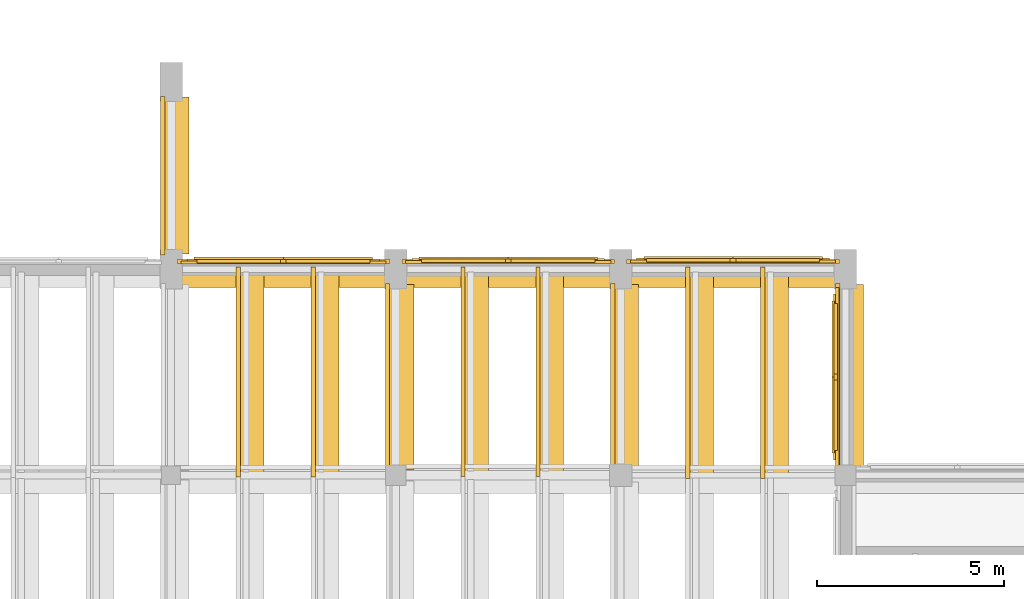
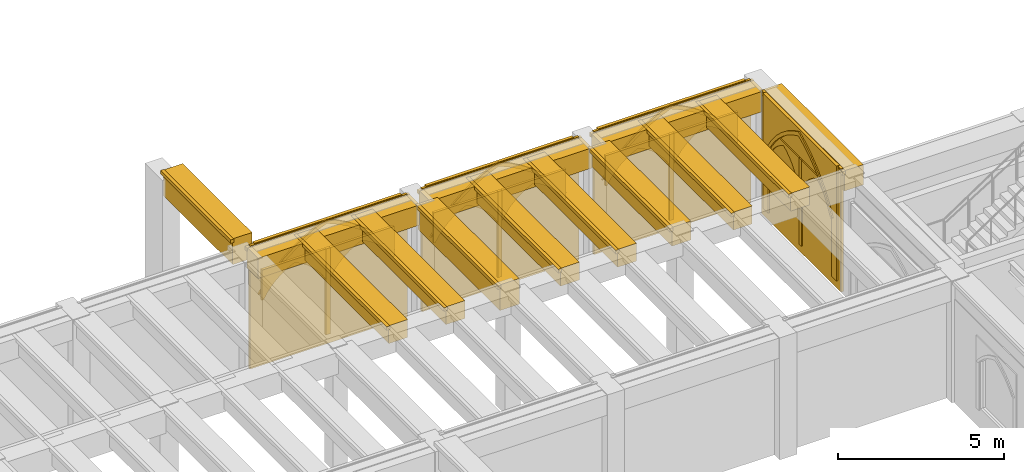
# One storey, part 119 of 127: 50 coverings.
"""IFC4 building model written with IfcOpenShell, lengths in metres."""

from ifc_helpers import new_model, si_unit, direction, frame, origin, origin_2d, place, context, subcontext, project, spatial, polyline, rectangle, outline, extrude, material, type_object, element, save


model = new_model("IFC4")

# Units and contexts
model_context = context("Model", 3, precision=1e-05, world=origin(), true_north=direction((0.0, 1.0)))
body_context = subcontext(model_context, "Body", "Model", "MODEL_VIEW")
ifc_project = project(units=[si_unit("LENGTHUNIT", "METRE"), si_unit("AREAUNIT", "SQUARE_METRE"), si_unit("VOLUMEUNIT", "CUBIC_METRE"), si_unit("PLANEANGLEUNIT", "RADIAN"), si_unit("MASSUNIT", "GRAM", prefix="KILO")], contexts=[model_context])

# Site, building, storey
site_placement = place(None, origin())
site = spatial("IfcSite", under=ifc_project, at=site_placement, CompositionType="ELEMENT")
building_placement = place(site_placement, origin())
building = spatial("IfcBuilding", under=site, at=building_placement, Name="Cumevento Cable Car Station", CompositionType="ELEMENT")
storey_placement = place(building_placement, frame((0.0, 0.0, 4.5)))
storey = spatial("IfcBuildingStorey", under=building, at=storey_placement, Name="L02", CompositionType="ELEMENT", Elevation=4.5)

# Coverings
ifc_material = material(Name="Gnaisse Facoidal Stone Ashlar 85 MPa", Category="masonry")
covering_type = type_object("IfcCoveringType", Name="Gnaisse Ashlar Cladding CV-CL01", PredefinedType="CLADDING", material=ifc_material)
covering_1_placement = place(storey_placement, frame((103.0, 56.35009765625, 3.722900390625), z_axis=(0.0, 0.0, 1.0), x_axis=(1.0, 0.0, 0.0)))
element("IfcCovering", 1, at=covering_1_placement, inside=storey, type_object=covering_type, Name="Gothic Stone Spandrel Stringcourse sc:0411", PredefinedType="CLADDING", context=body_context, shape_type="SweptSolid", body=[
    extrude(rectangle(XDim=5.639892578125, YDim=0.659912109375, at=origin_2d()), origin(), (0.0, 0.0, 1.0), 0.7470703125),
])
covering_2_placement = place(storey_placement, frame((103.0, 56.70751953125, 4.340087890625), z_axis=(0.0, 0.0, 1.0), x_axis=(1.0, 0.0, 0.0)))
element("IfcCovering", 2, at=covering_2_placement, inside=storey, type_object=covering_type, Name="Gothic Cornice Dripstone Lip sc:0411", PredefinedType="CLADDING", context=body_context, shape_type="SweptSolid", body=[
    extrude(rectangle(XDim=5.679931640625, YDim=0.114990234375, at=origin_2d()), origin(), (0.0, 0.0, 1.0), 0.1298828125),
])
covering_3_placement = place(storey_placement, frame((109.0, 56.35009765625, 3.722900390625), z_axis=(0.0, 0.0, 1.0), x_axis=(1.0, 0.0, 0.0)))
element("IfcCovering", 3, at=covering_3_placement, inside=storey, type_object=covering_type, Name="Gothic Stone Spandrel Stringcourse sc:0412", PredefinedType="CLADDING", context=body_context, shape_type="SweptSolid", body=[
    extrude(rectangle(XDim=5.639892578125, YDim=0.659912109375, at=origin_2d()), origin(), (0.0, 0.0, 1.0), 0.7470703125),
])
covering_4_placement = place(storey_placement, frame((109.0, 56.70751953125, 4.340087890625), z_axis=(0.0, 0.0, 1.0), x_axis=(1.0, 0.0, 0.0)))
element("IfcCovering", 4, at=covering_4_placement, inside=storey, type_object=covering_type, Name="Gothic Cornice Dripstone Lip sc:0412", PredefinedType="CLADDING", context=body_context, shape_type="SweptSolid", body=[
    extrude(rectangle(XDim=5.679931640625, YDim=0.114990234375, at=origin_2d()), origin(), (0.0, 0.0, 1.0), 0.1298828125),
])
covering_5_placement = place(storey_placement, frame((115.0, 56.35009765625, 3.722900390625), z_axis=(0.0, 0.0, 1.0), x_axis=(1.0, 0.0, 0.0)))
element("IfcCovering", 5, at=covering_5_placement, inside=storey, type_object=covering_type, Name="Gothic Stone Spandrel Stringcourse sc:0413", PredefinedType="CLADDING", context=body_context, shape_type="SweptSolid", body=[
    extrude(rectangle(XDim=5.639892578125, YDim=0.659912109375, at=origin_2d()), origin(), (0.0, 0.0, 1.0), 0.7470703125),
])
covering_6_placement = place(storey_placement, frame((115.0, 56.70751953125, 4.340087890625), z_axis=(0.0, 0.0, 1.0), x_axis=(1.0, 0.0, 0.0)))
element("IfcCovering", 6, at=covering_6_placement, inside=storey, type_object=covering_type, Name="Gothic Cornice Dripstone Lip sc:0413", PredefinedType="CLADDING", context=body_context, shape_type="SweptSolid", body=[
    extrude(rectangle(XDim=5.679931640625, YDim=0.114990234375, at=origin_2d()), origin(), (0.0, 0.0, 1.0), 0.1298828125),
])
covering_7_placement = place(storey_placement, frame((106.14306640625, 53.625, 3.52197265625), z_axis=(0.0, 0.0, 1.0), x_axis=(0.0, 1.0, 0.0)))
element("IfcCovering", 7, at=covering_7_placement, inside=storey, type_object=covering_type, Name="Gothic Stone Spandrel Stringcourse sc:0419", PredefinedType="CLADDING", context=body_context, shape_type="SweptSolid", body=[
    extrude(rectangle(XDim=4.93994140625, YDim=0.674072265625, at=origin_2d()), origin(), (0.0, 0.0, 1.0), 0.947998046875),
])
covering_8_placement = place(storey_placement, frame((105.778564453125, 53.625, 4.340087890625), z_axis=(0.0, 0.0, 1.0), x_axis=(0.0, 1.0, 0.0)))
element("IfcCovering", 8, at=covering_8_placement, inside=storey, type_object=covering_type, Name="Gothic Cornice Dripstone Lip sc:0419", PredefinedType="CLADDING", context=body_context, shape_type="SweptSolid", body=[
    extrude(rectangle(XDim=4.97998046875, YDim=0.114990234375, at=origin_2d()), origin(), (0.0, 0.0, 1.0), 0.1298828125),
])
covering_9_placement = place(storey_placement, frame((112.148681640625, 53.637451171875, 3.77587890625), z_axis=(0.0, 0.0, 1.0), x_axis=(0.0, 1.0, 0.0)))
element("IfcCovering", 9, at=covering_9_placement, inside=storey, type_object=covering_type, Name="Gothic Stone Spandrel Stringcourse sc:0421", PredefinedType="CLADDING", context=body_context, shape_type="SweptSolid", body=[
    extrude(rectangle(XDim=4.9150390625, YDim=0.66259765625, at=origin_2d()), origin(), (0.0, 0.0, 1.0), 0.694091796875),
])
covering_10_placement = place(storey_placement, frame((111.7900390625, 53.637451171875, 4.340087890625), z_axis=(0.0, 0.0, 1.0), x_axis=(0.0, 1.0, 0.0)))
element("IfcCovering", 10, at=covering_10_placement, inside=storey, type_object=covering_type, Name="Gothic Cornice Dripstone Lip sc:0421", PredefinedType="CLADDING", context=body_context, shape_type="SweptSolid", body=[
    extrude(rectangle(XDim=4.955078125, YDim=0.114990234375, at=origin_2d()), origin(), (0.0, 0.0, 1.0), 0.1298828125),
])
covering_11_placement = place(storey_placement, frame((118.14990234375, 53.625, 3.722900390625), z_axis=(0.0, 0.0, 1.0), x_axis=(0.0, 1.0, 0.0)))
element("IfcCovering", 11, at=covering_11_placement, inside=storey, type_object=covering_type, Name="Gothic Stone Spandrel Stringcourse sc:0423", PredefinedType="CLADDING", context=body_context, shape_type="SweptSolid", body=[
    extrude(rectangle(XDim=4.93994140625, YDim=0.659912109375, at=origin_2d()), origin(), (0.0, 0.0, 1.0), 0.7470703125),
])
covering_12_placement = place(storey_placement, frame((117.79248046875, 53.625, 4.340087890625), z_axis=(0.0, 0.0, 1.0), x_axis=(0.0, 1.0, 0.0)))
element("IfcCovering", 12, at=covering_12_placement, inside=storey, type_object=covering_type, Name="Gothic Cornice Dripstone Lip sc:0423", PredefinedType="CLADDING", context=body_context, shape_type="SweptSolid", body=[
    extrude(rectangle(XDim=4.97998046875, YDim=0.114990234375, at=origin_2d()), origin(), (0.0, 0.0, 1.0), 0.1298828125),
])
covering_13_placement = place(storey_placement, frame((102.14990234375, 53.7568359375, 3.81298828125), z_axis=(0.0, 0.0, 1.0), x_axis=(0.0, 1.0, 0.0)))
element("IfcCovering", 13, at=covering_13_placement, inside=storey, type_object=covering_type, Name="Gothic Stone Spandrel Stringcourse sc:0529", PredefinedType="CLADDING", context=body_context, shape_type="SweptSolid", body=[
    extrude(rectangle(XDim=5.572509765625, YDim=0.659912109375, at=origin_2d()), origin(), (0.0, 0.0, 1.0), 0.656982421875),
])
covering_14_placement = place(storey_placement, frame((101.79248046875, 53.7568359375, 4.340087890625), z_axis=(0.0, 0.0, 1.0), x_axis=(0.0, 1.0, 0.0)))
element("IfcCovering", 14, at=covering_14_placement, inside=storey, type_object=covering_type, Name="Gothic Cornice Dripstone Lip sc:0529", PredefinedType="CLADDING", context=body_context, shape_type="SweptSolid", body=[
    extrude(rectangle(XDim=5.612548828125, YDim=0.114990234375, at=origin_2d()), origin(), (0.0, 0.0, 1.0), 0.1298828125),
])
covering_15_placement = place(storey_placement, frame((104.14990234375, 53.7568359375, 3.81298828125), z_axis=(0.0, 0.0, 1.0), x_axis=(0.0, 1.0, 0.0)))
element("IfcCovering", 15, at=covering_15_placement, inside=storey, type_object=covering_type, Name="Gothic Stone Spandrel Stringcourse sc:0531", PredefinedType="CLADDING", context=body_context, shape_type="SweptSolid", body=[
    extrude(rectangle(XDim=5.572509765625, YDim=0.659912109375, at=origin_2d()), origin(), (0.0, 0.0, 1.0), 0.656982421875),
])
covering_16_placement = place(storey_placement, frame((103.79248046875, 53.7568359375, 4.340087890625), z_axis=(0.0, 0.0, 1.0), x_axis=(0.0, 1.0, 0.0)))
element("IfcCovering", 16, at=covering_16_placement, inside=storey, type_object=covering_type, Name="Gothic Cornice Dripstone Lip sc:0531", PredefinedType="CLADDING", context=body_context, shape_type="SweptSolid", body=[
    extrude(rectangle(XDim=5.612548828125, YDim=0.114990234375, at=origin_2d()), origin(), (0.0, 0.0, 1.0), 0.1298828125),
])
covering_17_placement = place(storey_placement, frame((108.14990234375, 53.76904296875, 3.81298828125), z_axis=(0.0, 0.0, 1.0), x_axis=(0.0, 1.0, 0.0)))
element("IfcCovering", 17, at=covering_17_placement, inside=storey, type_object=covering_type, Name="Gothic Stone Spandrel Stringcourse sc:0533", PredefinedType="CLADDING", context=body_context, shape_type="SweptSolid", body=[
    extrude(rectangle(XDim=5.548095703125, YDim=0.659912109375, at=origin_2d()), origin(), (0.0, 0.0, 1.0), 0.656982421875),
])
covering_18_placement = place(storey_placement, frame((107.79248046875, 53.76904296875, 4.340087890625), z_axis=(0.0, 0.0, 1.0), x_axis=(0.0, 1.0, 0.0)))
element("IfcCovering", 18, at=covering_18_placement, inside=storey, type_object=covering_type, Name="Gothic Cornice Dripstone Lip sc:0533", PredefinedType="CLADDING", context=body_context, shape_type="SweptSolid", body=[
    extrude(rectangle(XDim=5.587890625, YDim=0.114990234375, at=origin_2d()), origin(), (0.0, 0.0, 1.0), 0.1298828125),
])
covering_19_placement = place(storey_placement, frame((110.14990234375, 53.76904296875, 3.81298828125), z_axis=(0.0, 0.0, 1.0), x_axis=(0.0, 1.0, 0.0)))
element("IfcCovering", 19, at=covering_19_placement, inside=storey, type_object=covering_type, Name="Gothic Stone Spandrel Stringcourse sc:0535", PredefinedType="CLADDING", context=body_context, shape_type="SweptSolid", body=[
    extrude(rectangle(XDim=5.548095703125, YDim=0.659912109375, at=origin_2d()), origin(), (0.0, 0.0, 1.0), 0.656982421875),
])
covering_20_placement = place(storey_placement, frame((109.79248046875, 53.76904296875, 4.340087890625), z_axis=(0.0, 0.0, 1.0), x_axis=(0.0, 1.0, 0.0)))
element("IfcCovering", 20, at=covering_20_placement, inside=storey, type_object=covering_type, Name="Gothic Cornice Dripstone Lip sc:0535", PredefinedType="CLADDING", context=body_context, shape_type="SweptSolid", body=[
    extrude(rectangle(XDim=5.587890625, YDim=0.114990234375, at=origin_2d()), origin(), (0.0, 0.0, 1.0), 0.1298828125),
])
covering_21_placement = place(storey_placement, frame((114.14990234375, 53.742431640625, 3.81298828125), z_axis=(0.0, 0.0, 1.0), x_axis=(0.0, 1.0, 0.0)))
element("IfcCovering", 21, at=covering_21_placement, inside=storey, type_object=covering_type, Name="Gothic Stone Spandrel Stringcourse sc:0537", PredefinedType="CLADDING", context=body_context, shape_type="SweptSolid", body=[
    extrude(rectangle(XDim=5.60107421875, YDim=0.659912109375, at=origin_2d()), origin(), (0.0, 0.0, 1.0), 0.656982421875),
])
covering_22_placement = place(storey_placement, frame((113.79248046875, 53.742431640625, 4.340087890625), z_axis=(0.0, 0.0, 1.0), x_axis=(0.0, 1.0, 0.0)))
element("IfcCovering", 22, at=covering_22_placement, inside=storey, type_object=covering_type, Name="Gothic Cornice Dripstone Lip sc:0537", PredefinedType="CLADDING", context=body_context, shape_type="SweptSolid", body=[
    extrude(rectangle(XDim=5.64111328125, YDim=0.114990234375, at=origin_2d()), origin(), (0.0, 0.0, 1.0), 0.1298828125),
])
covering_23_placement = place(storey_placement, frame((116.14990234375, 53.742431640625, 3.81298828125), z_axis=(0.0, 0.0, 1.0), x_axis=(0.0, 1.0, 0.0)))
element("IfcCovering", 23, at=covering_23_placement, inside=storey, type_object=covering_type, Name="Gothic Stone Spandrel Stringcourse sc:0539", PredefinedType="CLADDING", context=body_context, shape_type="SweptSolid", body=[
    extrude(rectangle(XDim=5.60107421875, YDim=0.659912109375, at=origin_2d()), origin(), (0.0, 0.0, 1.0), 0.656982421875),
])
covering_24_placement = place(storey_placement, frame((115.79248046875, 53.742431640625, 4.340087890625), z_axis=(0.0, 0.0, 1.0), x_axis=(0.0, 1.0, 0.0)))
element("IfcCovering", 24, at=covering_24_placement, inside=storey, type_object=covering_type, Name="Gothic Cornice Dripstone Lip sc:0539", PredefinedType="CLADDING", context=body_context, shape_type="SweptSolid", body=[
    extrude(rectangle(XDim=5.64111328125, YDim=0.114990234375, at=origin_2d()), origin(), (0.0, 0.0, 1.0), 0.1298828125),
])
covering_25_placement = place(storey_placement, frame((100.14306640625, 59.0, 3.83203125), z_axis=(0.0, 0.0, 1.0), x_axis=(0.0, 1.0, 0.0)))
element("IfcCovering", 25, at=covering_25_placement, inside=storey, type_object=covering_type, Name="Gothic Stone Spandrel Stringcourse sc:0857", PredefinedType="CLADDING", context=body_context, shape_type="SweptSolid", body=[
    extrude(rectangle(XDim=4.18994140625, YDim=0.674072265625, at=origin_2d()), origin(), (0.0, 0.0, 1.0), 0.947998046875),
])
covering_26_placement = place(storey_placement, frame((99.778564453125, 59.0, 4.650146484375), z_axis=(0.0, 0.0, 1.0), x_axis=(0.0, 1.0, 0.0)))
element("IfcCovering", 26, at=covering_26_placement, inside=storey, type_object=covering_type, Name="Gothic Cornice Dripstone Lip sc:0857", PredefinedType="CLADDING", context=body_context, shape_type="SweptSolid", body=[
    extrude(rectangle(XDim=4.22998046875, YDim=0.114990234375, at=origin_2d()), origin(), (0.0, 0.0, 1.0), 0.1298828125),
])
covering_27_placement = place(storey_placement, frame((100.300048828125, 56.5, 0.0), z_axis=(0.0, 0.0, 1.0), x_axis=(1.0, 0.0, 0.0)))
element("IfcCovering", 27, at=covering_27_placement, inside=storey, type_object=covering_type, Name="Exterior Gnaisse Stone Wall Ashlar #55", PredefinedType="CLADDING", context=body_context, shape_type="SweptSolid", body=[
    extrude(outline(polyline([(-0.0400390625, -0.02001953125), (5.43994140625, -0.02001953125), (5.43994140625, 4.52001953125), (-0.0400390625, 4.52001953125), (-0.0400390625, -0.02001953125)])), frame((0.0, 0.22509765625, 0.0), z_axis=(0.0, -1.0, 0.0), x_axis=(1.0, 0.0, 0.0)), (0.0, 0.0, 1.0), 0.0849609375),
])
placement_1 = place(storey_placement, frame((100.47998046875, 56.5, 0.300048828125), z_axis=(0.0, 0.0, 1.0), x_axis=(1.0, 0.0, 0.0)))
element("IfcCovering", 28, at=placement_1, inside=storey, type_object=covering_type, Name="Gothic Ogival Pointed-Arch Stone Spandrel blind_ogival:0055", PredefinedType="CLADDING", context=body_context, shape_type="SweptSolid", body=[
    extrude(outline(polyline([(-0.050048828125, 0.0), (-0.050048828125, 4.239990234375), (5.090087890625, 4.239990234375), (5.090087890625, 0.0), (4.780029296875, 0.0), (4.780029296875, 2.219970703125), (4.531982421875, 2.55810546875), (4.255126953125, 2.872802734375), (3.951416015625, 3.161865234375), (3.62353515625, 3.423095703125), (3.273681640625, 3.654296875), (2.905029296875, 3.853759765625), (2.52001953125, 4.02001953125), (2.135009765625, 3.853759765625), (1.766357421875, 3.654296875), (1.41650390625, 3.423095703125), (1.088623046875, 3.161865234375), (0.784912109375, 2.872802734375), (0.508056640625, 2.55810546875), (0.260009765625, 2.219970703125), (0.260009765625, 0.0), (-0.050048828125, 0.0)])), frame((0.0, 0.280029296875, 0.0), z_axis=(0.0, -1.0, 0.0), x_axis=(1.0, 0.0, 0.0)), (0.0, 0.0, 1.0), 0.110107421875),
])
covering_29_placement = place(storey_placement, frame((100.47998046875, 56.5, 2.52001953125), z_axis=(0.0, 0.0, 1.0), x_axis=(1.0, 0.0, 0.0)))
element("IfcCovering", 29, at=covering_29_placement, inside=storey, type_object=covering_type, Name="Gothic Pointed Archivolt Hood Moulding blind_ogival:0055", PredefinedType="CLADDING", context=body_context, shape_type="SweptSolid", body=[
    extrude(outline(polyline([(0.260009765625, 0.0), (0.508056640625, 0.338134765625), (0.784912109375, 0.65283203125), (1.088623046875, 0.94189453125), (1.41650390625, 1.203125), (1.766357421875, 1.434326171875), (2.135009765625, 1.6337890625), (2.52001953125, 1.800048828125), (2.905029296875, 1.6337890625), (3.273681640625, 1.434326171875), (3.62353515625, 1.203125), (3.951416015625, 0.94189453125), (4.255126953125, 0.65283203125), (4.531982421875, 0.338134765625), (4.780029296875, 0.0), (4.90087890625, 0.0), (4.6435546875, 0.365478515625), (4.354248046875, 0.706298828125), (4.03564453125, 1.01953125), (3.689697265625, 1.302978515625), (3.31982421875, 1.553955078125), (2.928955078125, 1.770751953125), (2.52001953125, 1.951171875), (2.111083984375, 1.770751953125), (1.72021484375, 1.553955078125), (1.350341796875, 1.302978515625), (1.00439453125, 1.01953125), (0.685791015625, 0.706298828125), (0.396484375, 0.365478515625), (0.138916015625, 0.0), (0.260009765625, 0.0)])), frame((0.0, 0.322021484375, 0.0), z_axis=(0.0, -1.0, 0.0), x_axis=(1.0, 0.0, 0.0)), (0.0, 0.0, 1.0), 0.06689453125),
])
element("IfcCovering", 30, at=placement_1, inside=storey, type_object=covering_type, Name="Gothic Bifora Stone Colonnette blind_ogival:0055 #1", PredefinedType="CLADDING", context=body_context, shape_type="SweptSolid", body=[
    extrude(outline(polyline([(2.445068359375, -0.02001953125), (2.594970703125, -0.02001953125), (2.594970703125, 3.156005859375), (2.445068359375, 3.156005859375), (2.445068359375, -0.02001953125)])), frame((0.0, 0.26806640625, 0.0), z_axis=(0.0, -1.0, 0.0), x_axis=(1.0, 0.0, 0.0)), (0.0, 0.0, 1.0), 0.094970703125),
])
for number, where, z_axis, x_axis, name in (
    (31, (100.7099609375, 56.5, 2.340087890625), (0.0, 0.0, 1.0), (1.0, 0.0, 0.0), "Gothic Ogival Pointed-Arch Stone Spandrel blind_ogival:0055:sub:0"),
    (32, (103.044921875, 56.5, 2.340087890625), (0.0, 0.0, 1.0), (1.0, 0.0, 0.0), "Gothic Ogival Pointed-Arch Stone Spandrel blind_ogival:0055:sub:1"),
):
    element("IfcCovering", number, at=place(storey_placement, frame(where, z_axis=z_axis, x_axis=x_axis)), inside=storey, type_object=covering_type, Name=name, PredefinedType="CLADDING", context=body_context, shape_type="SweptSolid", body=[
        extrude(outline(polyline([(-0.02001953125, 0.0), (-0.02001953125, 1.115966796875), (2.264892578125, 1.115966796875), (2.264892578125, 0.0), (2.205078125, 0.0), (2.076171875, 0.214111328125), (1.923828125, 0.412109375), (1.75, 0.591552734375), (1.556640625, 0.75), (1.3466796875, 0.88525390625), (1.12255859375, 0.99609375), (0.8984375, 0.88525390625), (0.6884765625, 0.75), (0.4951171875, 0.591552734375), (0.3212890625, 0.412109375), (0.1689453125, 0.214111328125), (0.0400390625, 0.0), (-0.02001953125, 0.0)])), frame((0.0, 0.263916015625, 0.0), z_axis=(0.0, -1.0, 0.0), x_axis=(1.0, 0.0, 0.0)), (0.0, 0.0, 1.0), 0.090087890625),
    ])
covering_31_placement = place(storey_placement, frame((106.300048828125, 56.5, 0.0), z_axis=(0.0, 0.0, 1.0), x_axis=(1.0, 0.0, 0.0)))
element("IfcCovering", 33, at=covering_31_placement, inside=storey, type_object=covering_type, Name="Exterior Gnaisse Stone Wall Ashlar #56", PredefinedType="CLADDING", context=body_context, shape_type="SweptSolid", body=[
    extrude(outline(polyline([(-0.0400390625, -0.02001953125), (5.43994140625, -0.02001953125), (5.43994140625, 4.52001953125), (-0.0400390625, 4.52001953125), (-0.0400390625, -0.02001953125)])), frame((0.0, 0.237548828125, 0.0), z_axis=(0.0, -1.0, 0.0), x_axis=(1.0, 0.0, 0.0)), (0.0, 0.0, 1.0), 0.0849609375),
])
placement_2 = place(storey_placement, frame((106.47998046875, 56.5, 0.300048828125), z_axis=(0.0, 0.0, 1.0), x_axis=(1.0, 0.0, 0.0)))
element("IfcCovering", 34, at=placement_2, inside=storey, type_object=covering_type, Name="Gothic Ogival Pointed-Arch Stone Spandrel blind_ogival:0056", PredefinedType="CLADDING", context=body_context, shape_type="SweptSolid", body=[
    extrude(outline(polyline([(-0.050048828125, 0.0), (-0.050048828125, 4.239990234375), (5.090087890625, 4.239990234375), (5.090087890625, 0.0), (4.780029296875, 0.0), (4.780029296875, 2.219970703125), (4.531982421875, 2.55810546875), (4.255126953125, 2.872802734375), (3.951416015625, 3.161865234375), (3.62353515625, 3.423095703125), (3.273681640625, 3.654296875), (2.905029296875, 3.853759765625), (2.52001953125, 4.02001953125), (2.135009765625, 3.853759765625), (1.766357421875, 3.654296875), (1.41650390625, 3.423095703125), (1.088623046875, 3.161865234375), (0.784912109375, 2.872802734375), (0.508056640625, 2.55810546875), (0.260009765625, 2.219970703125), (0.260009765625, 0.0), (-0.050048828125, 0.0)])), frame((0.0, 0.29248046875, 0.0), z_axis=(0.0, -1.0, 0.0), x_axis=(1.0, 0.0, 0.0)), (0.0, 0.0, 1.0), 0.110107421875),
])
covering_33_placement = place(storey_placement, frame((106.47998046875, 56.5, 2.52001953125), z_axis=(0.0, 0.0, 1.0), x_axis=(1.0, 0.0, 0.0)))
element("IfcCovering", 35, at=covering_33_placement, inside=storey, type_object=covering_type, Name="Gothic Pointed Archivolt Hood Moulding blind_ogival:0056", PredefinedType="CLADDING", context=body_context, shape_type="SweptSolid", body=[
    extrude(outline(polyline([(0.260009765625, 0.0), (0.508056640625, 0.338134765625), (0.784912109375, 0.65283203125), (1.088623046875, 0.94189453125), (1.41650390625, 1.203125), (1.766357421875, 1.434326171875), (2.135009765625, 1.6337890625), (2.52001953125, 1.800048828125), (2.905029296875, 1.6337890625), (3.273681640625, 1.434326171875), (3.62353515625, 1.203125), (3.951416015625, 0.94189453125), (4.255126953125, 0.65283203125), (4.531982421875, 0.338134765625), (4.780029296875, 0.0), (4.90087890625, 0.0), (4.6435546875, 0.365478515625), (4.354248046875, 0.706298828125), (4.03564453125, 1.01953125), (3.689697265625, 1.302978515625), (3.31982421875, 1.553955078125), (2.928955078125, 1.770751953125), (2.52001953125, 1.951171875), (2.111083984375, 1.770751953125), (1.72021484375, 1.553955078125), (1.350341796875, 1.302978515625), (1.00439453125, 1.01953125), (0.685791015625, 0.706298828125), (0.396484375, 0.365478515625), (0.138916015625, 0.0), (0.260009765625, 0.0)])), frame((0.0, 0.33447265625, 0.0), z_axis=(0.0, -1.0, 0.0), x_axis=(1.0, 0.0, 0.0)), (0.0, 0.0, 1.0), 0.06689453125),
])
element("IfcCovering", 36, at=placement_2, inside=storey, type_object=covering_type, Name="Gothic Bifora Stone Colonnette blind_ogival:0056 #1", PredefinedType="CLADDING", context=body_context, shape_type="SweptSolid", body=[
    extrude(outline(polyline([(2.445068359375, -0.02001953125), (2.594970703125, -0.02001953125), (2.594970703125, 3.156005859375), (2.445068359375, 3.156005859375), (2.445068359375, -0.02001953125)])), frame((0.0, 0.280517578125, 0.0), z_axis=(0.0, -1.0, 0.0), x_axis=(1.0, 0.0, 0.0)), (0.0, 0.0, 1.0), 0.094970703125),
])
for number, where, z_axis, x_axis, name in (
    (37, (106.7099609375, 56.5, 2.340087890625), (0.0, 0.0, 1.0), (1.0, 0.0, 0.0), "Gothic Ogival Pointed-Arch Stone Spandrel blind_ogival:0056:sub:0"),
    (38, (109.044921875, 56.5, 2.340087890625), (0.0, 0.0, 1.0), (1.0, 0.0, 0.0), "Gothic Ogival Pointed-Arch Stone Spandrel blind_ogival:0056:sub:1"),
):
    element("IfcCovering", number, at=place(storey_placement, frame(where, z_axis=z_axis, x_axis=x_axis)), inside=storey, type_object=covering_type, Name=name, PredefinedType="CLADDING", context=body_context, shape_type="SweptSolid", body=[
        extrude(outline(polyline([(-0.02001953125, 0.0), (-0.02001953125, 1.115966796875), (2.264892578125, 1.115966796875), (2.264892578125, 0.0), (2.205078125, 0.0), (2.076171875, 0.214111328125), (1.923828125, 0.412109375), (1.75, 0.591552734375), (1.556640625, 0.75), (1.3466796875, 0.88525390625), (1.12255859375, 0.99609375), (0.8984375, 0.88525390625), (0.6884765625, 0.75), (0.4951171875, 0.591552734375), (0.3212890625, 0.412109375), (0.1689453125, 0.214111328125), (0.0400390625, 0.0), (-0.02001953125, 0.0)])), frame((0.0, 0.276611328125, 0.0), z_axis=(0.0, -1.0, 0.0), x_axis=(1.0, 0.0, 0.0)), (0.0, 0.0, 1.0), 0.090087890625),
    ])
covering_35_placement = place(storey_placement, frame((112.300048828125, 56.5, 0.0), z_axis=(0.0, 0.0, 1.0), x_axis=(1.0, 0.0, 0.0)))
element("IfcCovering", 39, at=covering_35_placement, inside=storey, type_object=covering_type, Name="Exterior Gnaisse Stone Wall Ashlar #57", PredefinedType="CLADDING", context=body_context, shape_type="SweptSolid", body=[
    extrude(outline(polyline([(-0.0400390625, -0.02001953125), (5.43994140625, -0.02001953125), (5.43994140625, 4.52001953125), (-0.0400390625, 4.52001953125), (-0.0400390625, -0.02001953125)])), frame((0.0, 0.25, 0.0), z_axis=(0.0, -1.0, 0.0), x_axis=(1.0, 0.0, 0.0)), (0.0, 0.0, 1.0), 0.0849609375),
])
placement_3 = place(storey_placement, frame((112.47998046875, 56.5, 0.300048828125), z_axis=(0.0, 0.0, 1.0), x_axis=(1.0, 0.0, 0.0)))
element("IfcCovering", 40, at=placement_3, inside=storey, type_object=covering_type, Name="Gothic Ogival Pointed-Arch Stone Spandrel blind_ogival:0057", PredefinedType="CLADDING", context=body_context, shape_type="SweptSolid", body=[
    extrude(outline(polyline([(-0.050048828125, 0.0), (-0.050048828125, 4.239990234375), (5.090087890625, 4.239990234375), (5.090087890625, 0.0), (4.780029296875, 0.0), (4.780029296875, 2.219970703125), (4.531982421875, 2.55810546875), (4.255126953125, 2.872802734375), (3.951416015625, 3.161865234375), (3.62353515625, 3.423095703125), (3.273681640625, 3.654296875), (2.905029296875, 3.853759765625), (2.52001953125, 4.02001953125), (2.135009765625, 3.853759765625), (1.766357421875, 3.654296875), (1.41650390625, 3.423095703125), (1.088623046875, 3.161865234375), (0.784912109375, 2.872802734375), (0.508056640625, 2.55810546875), (0.260009765625, 2.219970703125), (0.260009765625, 0.0), (-0.050048828125, 0.0)])), frame((0.0, 0.304931640625, 0.0), z_axis=(0.0, -1.0, 0.0), x_axis=(1.0, 0.0, 0.0)), (0.0, 0.0, 1.0), 0.110107421875),
])
covering_37_placement = place(storey_placement, frame((112.47998046875, 56.5, 2.52001953125), z_axis=(0.0, 0.0, 1.0), x_axis=(1.0, 0.0, 0.0)))
element("IfcCovering", 41, at=covering_37_placement, inside=storey, type_object=covering_type, Name="Gothic Pointed Archivolt Hood Moulding blind_ogival:0057", PredefinedType="CLADDING", context=body_context, shape_type="SweptSolid", body=[
    extrude(outline(polyline([(0.260009765625, 0.0), (0.508056640625, 0.338134765625), (0.784912109375, 0.65283203125), (1.088623046875, 0.94189453125), (1.41650390625, 1.203125), (1.766357421875, 1.434326171875), (2.135009765625, 1.6337890625), (2.52001953125, 1.800048828125), (2.905029296875, 1.6337890625), (3.273681640625, 1.434326171875), (3.62353515625, 1.203125), (3.951416015625, 0.94189453125), (4.255126953125, 0.65283203125), (4.531982421875, 0.338134765625), (4.780029296875, 0.0), (4.90087890625, 0.0), (4.6435546875, 0.365478515625), (4.354248046875, 0.706298828125), (4.03564453125, 1.01953125), (3.689697265625, 1.302978515625), (3.31982421875, 1.553955078125), (2.928955078125, 1.770751953125), (2.52001953125, 1.951171875), (2.111083984375, 1.770751953125), (1.72021484375, 1.553955078125), (1.350341796875, 1.302978515625), (1.00439453125, 1.01953125), (0.685791015625, 0.706298828125), (0.396484375, 0.365478515625), (0.138916015625, 0.0), (0.260009765625, 0.0)])), frame((0.0, 0.346923828125, 0.0), z_axis=(0.0, -1.0, 0.0), x_axis=(1.0, 0.0, 0.0)), (0.0, 0.0, 1.0), 0.06689453125),
])
element("IfcCovering", 42, at=placement_3, inside=storey, type_object=covering_type, Name="Gothic Bifora Stone Colonnette blind_ogival:0057 #1", PredefinedType="CLADDING", context=body_context, shape_type="SweptSolid", body=[
    extrude(outline(polyline([(2.445068359375, -0.02001953125), (2.594970703125, -0.02001953125), (2.594970703125, 3.156005859375), (2.445068359375, 3.156005859375), (2.445068359375, -0.02001953125)])), frame((0.0, 0.29296875, 0.0), z_axis=(0.0, -1.0, 0.0), x_axis=(1.0, 0.0, 0.0)), (0.0, 0.0, 1.0), 0.094970703125),
])
for number, where, z_axis, x_axis, name in (
    (43, (112.7099609375, 56.5, 2.340087890625), (0.0, 0.0, 1.0), (1.0, 0.0, 0.0), "Gothic Ogival Pointed-Arch Stone Spandrel blind_ogival:0057:sub:0"),
    (44, (115.044921875, 56.5, 2.340087890625), (0.0, 0.0, 1.0), (1.0, 0.0, 0.0), "Gothic Ogival Pointed-Arch Stone Spandrel blind_ogival:0057:sub:1"),
):
    element("IfcCovering", number, at=place(storey_placement, frame(where, z_axis=z_axis, x_axis=x_axis)), inside=storey, type_object=covering_type, Name=name, PredefinedType="CLADDING", context=body_context, shape_type="SweptSolid", body=[
        extrude(outline(polyline([(-0.02001953125, 0.0), (-0.02001953125, 1.115966796875), (2.264892578125, 1.115966796875), (2.264892578125, 0.0), (2.205078125, 0.0), (2.076171875, 0.214111328125), (1.923828125, 0.412109375), (1.75, 0.591552734375), (1.556640625, 0.75), (1.3466796875, 0.88525390625), (1.12255859375, 0.99609375), (0.8984375, 0.88525390625), (0.6884765625, 0.75), (0.4951171875, 0.591552734375), (0.3212890625, 0.412109375), (0.1689453125, 0.214111328125), (0.0400390625, 0.0), (-0.02001953125, 0.0)])), frame((0.0, 0.2890625, 0.0), z_axis=(0.0, -1.0, 0.0), x_axis=(1.0, 0.0, 0.0)), (0.0, 0.0, 1.0), 0.090087890625),
    ])
covering_39_placement = place(storey_placement, frame((118.0, 51.27490234375, 0.0), z_axis=(0.0, 0.0, 1.0), x_axis=(0.0, 1.0, 0.0)))
element("IfcCovering", 45, at=covering_39_placement, inside=storey, type_object=covering_type, Name="Exterior Gnaisse Stone Wall Ashlar #58", PredefinedType="CLADDING", context=body_context, shape_type="SweptSolid", body=[
    extrude(outline(polyline([(-0.0400390625, -0.02001953125), (4.739990234375, -0.02001953125), (4.739990234375, 4.52001953125), (-0.0400390625, 4.52001953125), (-0.0400390625, -0.02001953125)])), frame((0.0, 0.262451171875, 0.0), z_axis=(0.0, -1.0, 0.0), x_axis=(1.0, 0.0, 0.0)), (0.0, 0.0, 1.0), 0.0849609375),
])
placement_4 = place(storey_placement, frame((118.0, 51.455078125, 0.300048828125), z_axis=(0.0, 0.0, 1.0), x_axis=(0.0, 1.0, 0.0)))
element("IfcCovering", 46, at=placement_4, inside=storey, type_object=covering_type, Name="Gothic Ogival Pointed-Arch Stone Spandrel blind_ogival:0058", PredefinedType="CLADDING", context=body_context, shape_type="SweptSolid", body=[
    extrude(outline(polyline([(-0.050048828125, 0.0), (-0.050048828125, 4.239990234375), (4.389892578125, 4.239990234375), (4.389892578125, 0.0), (4.080078125, 0.0), (4.080078125, 2.219970703125), (3.89111328125, 2.552490234375), (3.669921875, 2.864501953125), (3.4189453125, 3.153076171875), (3.140625, 3.415283203125), (2.837646484375, 3.648681640625), (2.51318359375, 3.85107421875), (2.169921875, 4.02001953125), (1.826904296875, 3.85107421875), (1.50244140625, 3.648681640625), (1.199462890625, 3.415283203125), (0.921142578125, 3.153076171875), (0.670166015625, 2.864501953125), (0.448974609375, 2.552490234375), (0.260009765625, 2.219970703125), (0.260009765625, 0.0), (-0.050048828125, 0.0)])), frame((0.0, 0.3173828125, 0.0), z_axis=(0.0, -1.0, 0.0), x_axis=(1.0, 0.0, 0.0)), (0.0, 0.0, 1.0), 0.110107421875),
])
covering_41_placement = place(storey_placement, frame((118.0, 51.455078125, 2.52001953125), z_axis=(0.0, 0.0, 1.0), x_axis=(0.0, 1.0, 0.0)))
element("IfcCovering", 47, at=covering_41_placement, inside=storey, type_object=covering_type, Name="Gothic Pointed Archivolt Hood Moulding blind_ogival:0058", PredefinedType="CLADDING", context=body_context, shape_type="SweptSolid", body=[
    extrude(outline(polyline([(0.260009765625, 0.0), (0.448974609375, 0.33251953125), (0.670166015625, 0.64453125), (0.921142578125, 0.93310546875), (1.199462890625, 1.1953125), (1.50244140625, 1.4287109375), (1.826904296875, 1.631103515625), (2.169921875, 1.800048828125), (2.51318359375, 1.631103515625), (2.837646484375, 1.4287109375), (3.140625, 1.1953125), (3.4189453125, 0.93310546875), (3.669921875, 0.64453125), (3.89111328125, 0.33251953125), (4.080078125, 0.0), (4.200927734375, 0.0), (4.0029296875, 0.359619140625), (3.76953125, 0.697509765625), (3.503662109375, 1.01025390625), (3.20751953125, 1.294677734375), (2.88427734375, 1.548095703125), (2.537353515625, 1.767578125), (2.169921875, 1.951171875), (1.802734375, 1.767578125), (1.455810546875, 1.548095703125), (1.132568359375, 1.294677734375), (0.83642578125, 1.01025390625), (0.570556640625, 0.697509765625), (0.337158203125, 0.359619140625), (0.138916015625, 0.0), (0.260009765625, 0.0)])), frame((0.0, 0.359619140625, 0.0), z_axis=(0.0, -1.0, 0.0), x_axis=(1.0, 0.0, 0.0)), (0.0, 0.0, 1.0), 0.06689453125),
])
element("IfcCovering", 48, at=placement_4, inside=storey, type_object=covering_type, Name="Gothic Bifora Stone Colonnette blind_ogival:0058 #1", PredefinedType="CLADDING", context=body_context, shape_type="SweptSolid", body=[
    extrude(outline(polyline([(2.094970703125, -0.02001953125), (2.2451171875, -0.02001953125), (2.2451171875, 3.156005859375), (2.094970703125, 3.156005859375), (2.094970703125, -0.02001953125)])), frame((0.0, 0.305419921875, 0.0), z_axis=(0.0, -1.0, 0.0), x_axis=(1.0, 0.0, 0.0)), (0.0, 0.0, 1.0), 0.094970703125),
])
for number, where, z_axis, x_axis, name in (
    (49, (118.0, 51.68505859375, 2.340087890625), (0.0, 0.0, 1.0), (0.0, 1.0, 0.0), "Gothic Ogival Pointed-Arch Stone Spandrel blind_ogival:0058:sub:0"),
    (50, (118.0, 53.669921875, 2.340087890625), (0.0, 0.0, 1.0), (0.0, 1.0, 0.0), "Gothic Ogival Pointed-Arch Stone Spandrel blind_ogival:0058:sub:1"),
):
    element("IfcCovering", number, at=place(storey_placement, frame(where, z_axis=z_axis, x_axis=x_axis)), inside=storey, type_object=covering_type, Name=name, PredefinedType="CLADDING", context=body_context, shape_type="SweptSolid", body=[
        extrude(outline(polyline([(-0.02001953125, 0.0), (-0.02001953125, 1.115966796875), (1.9150390625, 1.115966796875), (1.9150390625, 0.0), (1.85498046875, 0.0), (1.76123046875, 0.2099609375), (1.6416015625, 0.40625), (1.497802734375, 0.5859375), (1.332275390625, 0.74560546875), (1.14794921875, 0.883056640625), (0.947509765625, 0.99609375), (0.7470703125, 0.883056640625), (0.562744140625, 0.74560546875), (0.397216796875, 0.5859375), (0.25341796875, 0.40625), (0.1337890625, 0.2099609375), (0.0400390625, 0.0), (-0.02001953125, 0.0)])), frame((0.0, 0.301513671875, 0.0), z_axis=(0.0, -1.0, 0.0), x_axis=(1.0, 0.0, 0.0)), (0.0, 0.0, 1.0), 0.090087890625),
    ])

save(model, "model.ifc")
